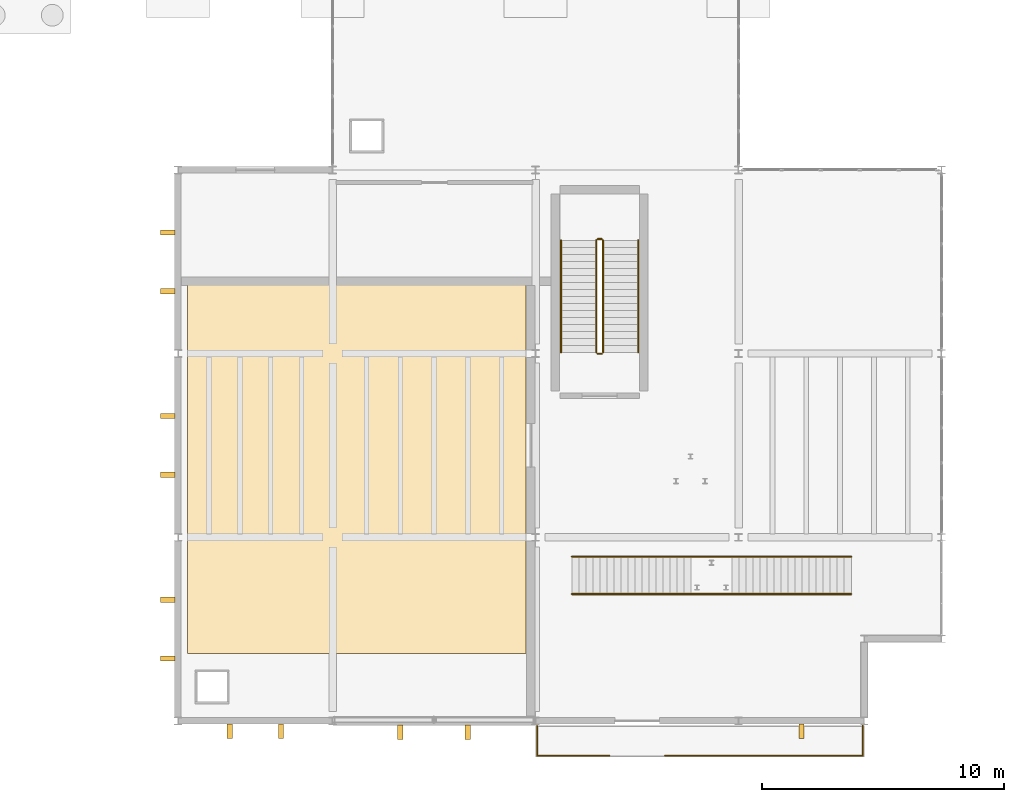
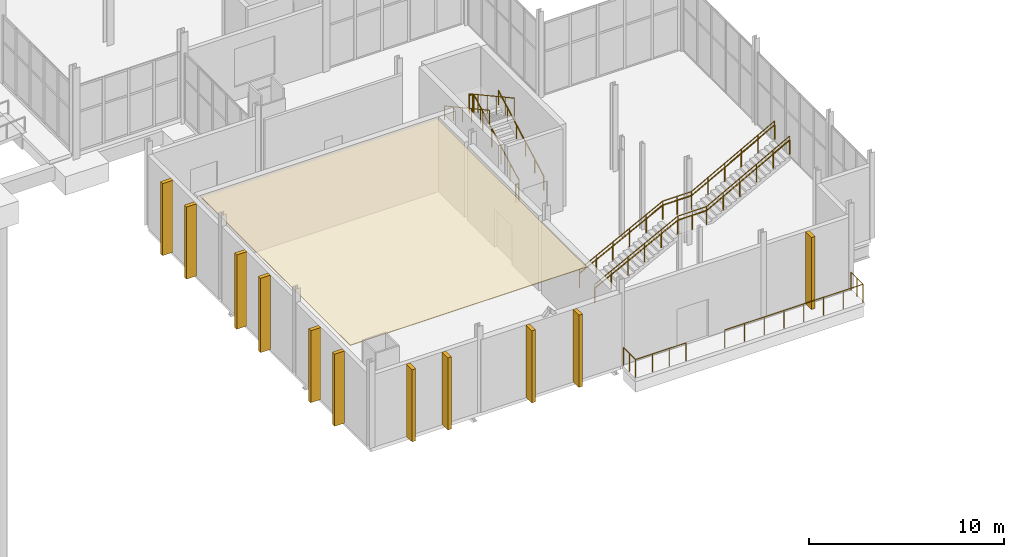
# One storey, part 83 of 95: 12 railings, 11 shading devices, 1 covering.
"""IFC4 building model written with IfcOpenShell, lengths in metres."""

from ifc_helpers import new_model, si_unit, direction, frame, origin, origin_2d, place, context, subcontext, project, spatial, polyline, rectangle, circle, outline, extrude, material, layer, layer_set, type_object, element, save


model = new_model("IFC4")

# Units and contexts
model_context = context("Model", 3, precision=1e-05, world=origin(), true_north=direction((0.0, 1.0)))
body_context = subcontext(model_context, "Body", "Model", "MODEL_VIEW")
ifc_project = project(units=[si_unit("LENGTHUNIT", "METRE"), si_unit("AREAUNIT", "SQUARE_METRE"), si_unit("VOLUMEUNIT", "CUBIC_METRE"), si_unit("PLANEANGLEUNIT", "RADIAN"), si_unit("MASSUNIT", "GRAM", prefix="KILO")], contexts=[model_context])

# Site, building, storey
site_placement = place(None, origin())
site = spatial("IfcSite", under=ifc_project, at=site_placement, CompositionType="ELEMENT")
building_placement = place(site_placement, origin())
building = spatial("IfcBuilding", under=site, at=building_placement, Name="Shengluoqiao Park Theatre", CompositionType="ELEMENT")
storey_placement = place(building_placement, origin())
storey = spatial("IfcBuildingStorey", under=building, at=storey_placement, Name="L00", CompositionType="ELEMENT", Elevation=0.0)

# Shading devices
ifc_material_1 = material(Name="Concrete C45", Category="concrete")
ifc_layer_1 = layer(ifc_material_1, 0.219970703125, Name="Concrete C45")
ifc_layer_set_1 = layer_set([ifc_layer_1], Name="Concrete C45")
shading_device_type = type_object("IfcShadingDeviceType", Name="ENV-FIN-600x220", PredefinedType="USERDEFINED", material=ifc_layer_set_1)
for number, where, z_axis, x_axis, name in (
    (1, (14.936767578125, -0.419921875, 0.02001953125), (0.0, 0.0, 1.0), (0.0, -1.0, 0.0), "L00 Vertical Concrete Acoustic Rib 0120"),
    (2, (17.063232421875, -0.419921875, 0.02001953125), (0.0, 0.0, 1.0), (0.0, -1.0, 0.0), "L00 Vertical Concrete Acoustic Rib 0121"),
    (3, (22.00341796875, -0.47509765625, 0.02001953125), (0.0, 0.0, 1.0), (0.0, -1.0, 0.0), "L00 Vertical Concrete Acoustic Rib 0122"),
    (4, (24.79638671875, -0.47509765625, 0.02001953125), (0.0, 0.0, 1.0), (0.0, -1.0, 0.0), "L00 Vertical Concrete Acoustic Rib 0123"),
    (5, (38.60009765625, -0.419921875, 0.02001953125), (0.0, 0.0, 1.0), (0.0, -1.0, 0.0), "L00 Vertical Concrete Acoustic Rib 0124"),
    (6, (12.3798828125, 2.584716796875, 0.02001953125), (0.0, 0.0, 1.0), (-1.0, 0.0, 0.0), "L00 Vertical Concrete Acoustic Rib 0125"),
    (7, (12.3798828125, 5.015380859375, 0.02001953125), (0.0, 0.0, 1.0), (-1.0, 0.0, 0.0), "L00 Vertical Concrete Acoustic Rib 0126"),
):
    element("IfcShadingDevice", number, at=place(storey_placement, frame(where, z_axis=z_axis, x_axis=x_axis)), inside=storey, type_object=shading_device_type, Name=name, ObjectType="FIN", PredefinedType="USERDEFINED", context=body_context, shape_type="SweptSolid", body=[
        extrude(rectangle(XDim=0.60009765625, YDim=0.219970703125, at=origin_2d()), origin(), (0.0, 0.0, 1.0), 4.51611328125),
    ])
for number, where, z_axis, x_axis, name in (
    (8, (12.3798828125, 10.184814453125, 0.02001953125), (0.0, 0.0, 1.0), (-1.0, 0.0, 0.0), "L00 Vertical Concrete Acoustic Rib 0127"),
    (9, (12.3798828125, 12.615234375, 0.02001953125), (0.0, 0.0, 1.0), (-1.0, 0.0, 0.0), "L00 Vertical Concrete Acoustic Rib 0128"),
):
    element("IfcShadingDevice", number, at=place(storey_placement, frame(where, z_axis=z_axis, x_axis=x_axis)), inside=storey, type_object=shading_device_type, Name=name, ObjectType="FIN", PredefinedType="USERDEFINED", context=body_context, shape_type="SweptSolid", body=[
        extrude(rectangle(XDim=0.60009765625, YDim=0.219970703125, at=origin_2d()), origin(), (0.0, 0.0, 1.0), 4.657958984375),
    ])
for number, where, z_axis, x_axis, name in (
    (10, (12.3798828125, 17.78466796875, 0.02001953125), (0.0, 0.0, 1.0), (-1.0, 0.0, 0.0), "L00 Vertical Concrete Acoustic Rib 0129"),
    (11, (12.3798828125, 20.21533203125, 0.02001953125), (0.0, 0.0, 1.0), (-1.0, 0.0, 0.0), "L00 Vertical Concrete Acoustic Rib 0130"),
):
    element("IfcShadingDevice", number, at=place(storey_placement, frame(where, z_axis=z_axis, x_axis=x_axis)), inside=storey, type_object=shading_device_type, Name=name, ObjectType="FIN", PredefinedType="USERDEFINED", context=body_context, shape_type="SweptSolid", body=[
        extrude(rectangle(XDim=0.60009765625, YDim=0.219970703125, at=origin_2d()), origin(), (0.0, 0.0, 1.0), 4.51611328125),
    ])

# Railings
ifc_material_2 = material(Name="Stainless steel 316", Category="steel")
railing_type_1 = type_object("IfcRailingType", Name="ENV-RL-GRD115", PredefinedType="GUARDRAIL", material=ifc_material_2)
railing_1_placement = place(storey_placement, frame((27.659912109375, -0.199951171875, 0.0)))
element("IfcRailing", 12, at=railing_1_placement, inside=storey, type_object=railing_type_1, Name="Black-Box South Apron Safety Guardrail West", PredefinedType="GUARDRAIL", context=body_context, shape_type="SweptSolid", body=[
    extrude(circle(Radius=0.02392578125, at=origin_2d()), frame((0.0, 0.0, 1.1259765625), z_axis=(0.0, -1.0, 0.0), x_axis=(1.0, 0.0, 0.0)), (0.0, 0.0, 1.0), 1.239990234375),
    extrude(circle(Radius=0.02392578125, at=origin_2d()), frame((0.0, -1.239990234375, 1.1259765625), z_axis=(1.0, 0.0, 0.0), x_axis=(0.0, 1.0, 0.0)), (0.0, 0.0, 1.0), 2.989990234375),
    extrude(circle(Radius=0.02099609375, at=origin_2d()), origin(), (0.0, 0.0, 1.0), 1.101806640625),
    extrude(circle(Radius=0.02099609375, at=origin_2d()), frame((0.0, -0.6201171875, 0.0)), (0.0, 0.0, 1.0), 1.101806640625),
    extrude(circle(Radius=0.02099609375, at=origin_2d()), frame((0.0, -1.239990234375, 0.0)), (0.0, 0.0, 1.0), 1.101806640625),
    extrude(circle(Radius=0.02099609375, at=origin_2d()), frame((0.99658203125, -1.239990234375, 0.0)), (0.0, 0.0, 1.0), 1.101806640625),
    extrude(circle(Radius=0.02099609375, at=origin_2d()), frame((1.993408203125, -1.239990234375, 0.0)), (0.0, 0.0, 1.0), 1.101806640625),
    extrude(circle(Radius=0.02099609375, at=origin_2d()), frame((2.989990234375, -1.239990234375, 0.0)), (0.0, 0.0, 1.0), 1.101806640625),
])
railing_2_placement = place(storey_placement, frame((32.949951171875, -1.43994140625, 0.0)))
element("IfcRailing", 13, at=railing_2_placement, inside=storey, type_object=railing_type_1, Name="Black-Box South Apron Safety Guardrail East", PredefinedType="GUARDRAIL", context=body_context, shape_type="SweptSolid", body=[
    extrude(circle(Radius=0.02392578125, at=origin_2d()), frame((0.0, 0.0, 1.1259765625), z_axis=(1.0, 0.0, 0.0), x_axis=(0.0, 1.0, 0.0)), (0.0, 0.0, 1.0), 8.18994140625),
    extrude(circle(Radius=0.02392578125, at=origin_2d()), frame((8.18994140625, 0.0, 1.1259765625), z_axis=(0.0, 1.0, 0.0), x_axis=(-1.0, 0.0, 0.0)), (0.0, 0.0, 1.0), 1.239990234375),
    extrude(circle(Radius=0.02099609375, at=origin_2d()), origin(), (0.0, 0.0, 1.0), 1.101806640625),
    extrude(circle(Radius=0.02099609375, at=origin_2d()), frame((1.169921875, 0.0, 0.0)), (0.0, 0.0, 1.0), 1.101806640625),
    extrude(circle(Radius=0.02099609375, at=origin_2d()), frame((2.340087890625, 0.0, 0.0)), (0.0, 0.0, 1.0), 1.101806640625),
    extrude(circle(Radius=0.02099609375, at=origin_2d()), frame((3.510009765625, 0.0, 0.0)), (0.0, 0.0, 1.0), 1.101806640625),
    extrude(circle(Radius=0.02099609375, at=origin_2d()), frame((4.679931640625, 0.0, 0.0)), (0.0, 0.0, 1.0), 1.101806640625),
    extrude(circle(Radius=0.02099609375, at=origin_2d()), frame((5.849853515625, 0.0, 0.0)), (0.0, 0.0, 1.0), 1.101806640625),
    extrude(circle(Radius=0.02099609375, at=origin_2d()), frame((7.02001953125, 0.0, 0.0)), (0.0, 0.0, 1.0), 1.101806640625),
    extrude(circle(Radius=0.02099609375, at=origin_2d()), frame((8.18994140625, 0.0, 0.0)), (0.0, 0.0, 1.0), 1.101806640625),
    extrude(circle(Radius=0.02099609375, at=origin_2d()), frame((8.18994140625, 0.6201171875, 0.0)), (0.0, 0.0, 1.0), 1.101806640625),
    extrude(circle(Radius=0.02099609375, at=origin_2d()), frame((8.18994140625, 1.239990234375, 0.0)), (0.0, 0.0, 1.0), 1.101806640625),
])

# Covering
ifc_material_3 = material(Name="Perforated timber acoustic", Category="wood")
ifc_layer_2 = layer(ifc_material_3, 0.0400390625, Name="Perforated timber acoustic")
ifc_layer_set_2 = layer_set([ifc_layer_2], Name="Perforated timber acoustic")
covering_type = type_object("IfcCoveringType", Name="INT-COV-CLG2", PredefinedType="CEILING", material=ifc_layer_set_2)
covering_placement = place(storey_placement, frame((0.0, 0.0, 4.47998046875)))
element("IfcCovering", 14, at=covering_placement, inside=storey, type_object=covering_type, Name="Black-Box Acoustic Grid Ceiling", PredefinedType="CEILING", context=body_context, shape_type="SweptSolid", body=[
    extrude(outline(polyline([(13.199951171875, 2.800048828125), (27.199951171875, 2.800048828125), (27.199951171875, 18.25), (13.199951171875, 18.25), (13.199951171875, 2.800048828125)])), origin(), (0.0, 0.0, 1.0), 0.0400390625),
])

# Railings
ifc_material_4 = material(Name="Tempered laminated glass", Category="glass")
railing_type_2 = type_object("IfcRailingType", Name="INT-RL-BAL115", PredefinedType="BALUSTRADE", material=ifc_material_4)
railing_3_placement = place(storey_placement, frame((29.10009765625, 5.25, 0.14990234375)))
element("IfcRailing", 15, at=railing_3_placement, inside=storey, type_object=railing_type_2, Name="Park-Court Gallery Stair 08 Glass Balustrade S", PredefinedType="BALUSTRADE", context=body_context, shape_type="SweptSolid", body=[
    extrude(circle(Radius=0.02392578125, at=origin_2d()), frame((0.0, 0.0, 1.1259765625), z_axis=(0.888211453661, 0.0, 0.459434885034), x_axis=(0.0, 1.0, 0.0)), (0.0, 0.0, 1.0), 5.55029296875),
    extrude(circle(Radius=0.02392578125, at=origin_2d()), frame((4.929931640625, 0.0, 3.67578125), z_axis=(1.0, 0.0, 0.0), x_axis=(0.0, 1.0, 0.0)), (0.0, 0.0, 1.0), 1.699951171875),
    extrude(circle(Radius=0.02392578125, at=origin_2d()), frame((6.6298828125, 0.0, 3.67578125), z_axis=(0.877079276001, 0.0, 0.480345650141), x_axis=(0.0, 1.0, 0.0)), (0.0, 0.0, 1.0), 5.620849609375),
    extrude(circle(Radius=0.02099609375, at=origin_2d()), origin(), (0.0, 0.0, 1.0), 1.101806640625),
    extrude(circle(Radius=0.02099609375, at=origin_2d()), frame((0.986083984375, 0.0, 0.510009765625)), (0.0, 0.0, 1.0), 1.101806640625),
    extrude(circle(Radius=0.02099609375, at=origin_2d()), frame((1.971923828125, 0.0, 1.02001953125)), (0.0, 0.0, 1.0), 1.101806640625),
    extrude(circle(Radius=0.02099609375, at=origin_2d()), frame((2.9580078125, 0.0, 1.530029296875)), (0.0, 0.0, 1.0), 1.101806640625),
    extrude(circle(Radius=0.02099609375, at=origin_2d()), frame((3.94384765625, 0.0, 2.0400390625)), (0.0, 0.0, 1.0), 1.101806640625),
    extrude(circle(Radius=0.02099609375, at=origin_2d()), frame((4.929931640625, 0.0, 2.550048828125)), (0.0, 0.0, 1.0), 1.101806640625),
    extrude(circle(Radius=0.02099609375, at=origin_2d()), frame((5.77978515625, 0.0, 2.550048828125)), (0.0, 0.0, 1.0), 1.101806640625),
    extrude(circle(Radius=0.02099609375, at=origin_2d()), frame((6.6298828125, 0.0, 2.550048828125)), (0.0, 0.0, 1.0), 1.101806640625),
    extrude(circle(Radius=0.02099609375, at=origin_2d()), frame((7.615966796875, 0.0, 3.090087890625)), (0.0, 0.0, 1.0), 1.101806640625),
    extrude(circle(Radius=0.02099609375, at=origin_2d()), frame((8.601806640625, 0.0, 3.630126953125)), (0.0, 0.0, 1.0), 1.101806640625),
    extrude(circle(Radius=0.02099609375, at=origin_2d()), frame((9.587890625, 0.0, 4.169921875)), (0.0, 0.0, 1.0), 1.101806640625),
    extrude(circle(Radius=0.02099609375, at=origin_2d()), frame((10.57373046875, 0.0, 4.7099609375)), (0.0, 0.0, 1.0), 1.101806640625),
    extrude(circle(Radius=0.02099609375, at=origin_2d()), frame((11.559814453125, 0.0, 5.25)), (0.0, 0.0, 1.0), 1.101806640625),
])
railing_4_placement = place(storey_placement, frame((29.10009765625, 6.800048828125, 0.14990234375)))
element("IfcRailing", 16, at=railing_4_placement, inside=storey, type_object=railing_type_2, Name="Park-Court Gallery Stair 08 Glass Balustrade N", PredefinedType="BALUSTRADE", context=body_context, shape_type="SweptSolid", body=[
    extrude(circle(Radius=0.02392578125, at=origin_2d()), frame((0.0, 0.0, 1.1259765625), z_axis=(0.888211453661, 0.0, 0.459434885034), x_axis=(0.0, 1.0, 0.0)), (0.0, 0.0, 1.0), 5.55029296875),
    extrude(circle(Radius=0.02392578125, at=origin_2d()), frame((4.929931640625, 0.0, 3.67578125), z_axis=(1.0, 0.0, 0.0), x_axis=(0.0, 1.0, 0.0)), (0.0, 0.0, 1.0), 1.699951171875),
    extrude(circle(Radius=0.02392578125, at=origin_2d()), frame((6.6298828125, 0.0, 3.67578125), z_axis=(0.877079276001, 0.0, 0.480345650141), x_axis=(0.0, 1.0, 0.0)), (0.0, 0.0, 1.0), 5.620849609375),
    extrude(circle(Radius=0.02099609375, at=origin_2d()), origin(), (0.0, 0.0, 1.0), 1.101806640625),
    extrude(circle(Radius=0.02099609375, at=origin_2d()), frame((0.986083984375, 0.0, 0.510009765625)), (0.0, 0.0, 1.0), 1.101806640625),
    extrude(circle(Radius=0.02099609375, at=origin_2d()), frame((1.971923828125, 0.0, 1.02001953125)), (0.0, 0.0, 1.0), 1.101806640625),
    extrude(circle(Radius=0.02099609375, at=origin_2d()), frame((2.9580078125, 0.0, 1.530029296875)), (0.0, 0.0, 1.0), 1.101806640625),
    extrude(circle(Radius=0.02099609375, at=origin_2d()), frame((3.94384765625, 0.0, 2.0400390625)), (0.0, 0.0, 1.0), 1.101806640625),
    extrude(circle(Radius=0.02099609375, at=origin_2d()), frame((4.929931640625, 0.0, 2.550048828125)), (0.0, 0.0, 1.0), 1.101806640625),
    extrude(circle(Radius=0.02099609375, at=origin_2d()), frame((5.77978515625, 0.0, 2.550048828125)), (0.0, 0.0, 1.0), 1.101806640625),
    extrude(circle(Radius=0.02099609375, at=origin_2d()), frame((6.6298828125, 0.0, 2.550048828125)), (0.0, 0.0, 1.0), 1.101806640625),
    extrude(circle(Radius=0.02099609375, at=origin_2d()), frame((7.615966796875, 0.0, 3.090087890625)), (0.0, 0.0, 1.0), 1.101806640625),
    extrude(circle(Radius=0.02099609375, at=origin_2d()), frame((8.601806640625, 0.0, 3.630126953125)), (0.0, 0.0, 1.0), 1.101806640625),
    extrude(circle(Radius=0.02099609375, at=origin_2d()), frame((9.587890625, 0.0, 4.169921875)), (0.0, 0.0, 1.0), 1.101806640625),
    extrude(circle(Radius=0.02099609375, at=origin_2d()), frame((10.57373046875, 0.0, 4.7099609375)), (0.0, 0.0, 1.0), 1.101806640625),
    extrude(circle(Radius=0.02099609375, at=origin_2d()), frame((11.559814453125, 0.0, 5.25)), (0.0, 0.0, 1.0), 1.101806640625),
])
ifc_material_5 = material(Name="Painted steel", Category="steel")
railing_type_3 = type_object("IfcRailingType", Name="INT-RL-STGRD", PredefinedType="GUARDRAIL", material=ifc_material_5)
railing_5_placement = place(storey_placement, frame((30.389892578125, 15.25, 0.158935546875)))
element("IfcRailing", 17, at=railing_5_placement, inside=storey, type_object=railing_type_3, Name="L00 ST-04 stair guard 1", PredefinedType="GUARDRAIL", context=body_context, shape_type="SweptSolid", body=[
    extrude(circle(Radius=0.02392578125, at=origin_2d()), frame((0.0, 0.0, 1.1259765625), z_axis=(0.0, 0.877086546512, 0.480332374433), x_axis=(-1.0, 0.0, 0.0)), (0.0, 0.0, 1.0), 5.2900390625),
    extrude(circle(Radius=0.02099609375, at=origin_2d()), origin(), (0.0, 0.0, 1.0), 1.101806640625),
    extrude(circle(Radius=0.02099609375, at=origin_2d()), frame((0.0, 0.927978515625, 0.50830078125)), (0.0, 0.0, 1.0), 1.101806640625),
    extrude(circle(Radius=0.02099609375, at=origin_2d()), frame((0.0, 1.85595703125, 1.016357421875)), (0.0, 0.0, 1.0), 1.101806640625),
    extrude(circle(Radius=0.02099609375, at=origin_2d()), frame((0.0, 2.783935546875, 1.524658203125)), (0.0, 0.0, 1.0), 1.101806640625),
    extrude(circle(Radius=0.02099609375, at=origin_2d()), frame((0.0, 3.7119140625, 2.03271484375)), (0.0, 0.0, 1.0), 1.101806640625),
    extrude(circle(Radius=0.02099609375, at=origin_2d()), frame((0.0, 4.639892578125, 2.541015625)), (0.0, 0.0, 1.0), 1.101806640625),
])
railing_6_placement = place(storey_placement, frame((30.340087890625, 19.93994140625, 2.699951171875)))
element("IfcRailing", 18, at=railing_6_placement, inside=storey, type_object=railing_type_3, Name="L00 ST-04 stair guard 2", PredefinedType="GUARDRAIL", context=body_context, shape_type="SweptSolid", body=[
    extrude(circle(Radius=0.02392578125, at=origin_2d()), frame((0.0, 0.0, 1.1259765625), z_axis=(-1.0, 0.0, 0.0), x_axis=(0.0, -1.0, 0.0)), (0.0, 0.0, 1.0), 0.18017578125),
    extrude(circle(Radius=0.02099609375, at=origin_2d()), origin(), (0.0, 0.0, 1.0), 1.101806640625),
    extrude(circle(Radius=0.02099609375, at=origin_2d()), frame((-0.18017578125, 0.0, 0.0)), (0.0, 0.0, 1.0), 1.101806640625),
])
railing_7_placement = place(storey_placement, frame((30.110107421875, 19.889892578125, 2.85888671875)))
element("IfcRailing", 19, at=railing_7_placement, inside=storey, type_object=railing_type_3, Name="L00 ST-04 stair guard 3", PredefinedType="GUARDRAIL", context=body_context, shape_type="SweptSolid", body=[
    extrude(circle(Radius=0.02392578125, at=origin_2d()), frame((0.0, 0.0, 1.1259765625), z_axis=(0.0, -0.877086546512, 0.480332374433), x_axis=(1.0, 0.0, 0.0)), (0.0, 0.0, 1.0), 5.2900390625),
    extrude(circle(Radius=0.02099609375, at=origin_2d()), origin(), (0.0, 0.0, 1.0), 1.101806640625),
    extrude(circle(Radius=0.02099609375, at=origin_2d()), frame((0.0, -0.927978515625, 0.50830078125)), (0.0, 0.0, 1.0), 1.101806640625),
    extrude(circle(Radius=0.02099609375, at=origin_2d()), frame((0.0, -1.85595703125, 1.016357421875)), (0.0, 0.0, 1.0), 1.101806640625),
    extrude(circle(Radius=0.02099609375, at=origin_2d()), frame((0.0, -2.783935546875, 1.524658203125)), (0.0, 0.0, 1.0), 1.101806640625),
    extrude(circle(Radius=0.02099609375, at=origin_2d()), frame((0.0, -3.7119140625, 2.03271484375)), (0.0, 0.0, 1.0), 1.101806640625),
    extrude(circle(Radius=0.02099609375, at=origin_2d()), frame((0.0, -4.639892578125, 2.541015625)), (0.0, 0.0, 1.0), 1.101806640625),
])
railing_8_placement = place(storey_placement, frame((30.340087890625, 15.199951171875, 0.0)))
element("IfcRailing", 20, at=railing_8_placement, inside=storey, type_object=railing_type_3, Name="L00 ST-04 stair guard 4", PredefinedType="GUARDRAIL", context=body_context, shape_type="SweptSolid", body=[
    extrude(circle(Radius=0.02392578125, at=origin_2d()), frame((0.0, 0.0, 1.1259765625), z_axis=(-1.0, 0.0, 0.0), x_axis=(0.0, -1.0, 0.0)), (0.0, 0.0, 1.0), 0.18017578125),
    extrude(circle(Radius=0.02099609375, at=origin_2d()), origin(), (0.0, 0.0, 1.0), 1.101806640625),
    extrude(circle(Radius=0.02099609375, at=origin_2d()), frame((-0.18017578125, 0.0, 0.0)), (0.0, 0.0, 1.0), 1.101806640625),
])
ifc_material_6 = material(Name="Stainless steel 304", Category="steel")
railing_type_4 = type_object("IfcRailingType", Name="INT-RL-STHR", PredefinedType="HANDRAIL", material=ifc_material_6)
railing_9_placement = place(storey_placement, frame((31.85009765625, 15.25, 0.158935546875)))
element("IfcRailing", 21, at=railing_9_placement, inside=storey, type_object=railing_type_4, Name="L00 ST-04 stair handrail 1", PredefinedType="HANDRAIL", context=body_context, shape_type="SweptSolid", body=[
    extrude(circle(Radius=0.02392578125, at=origin_2d()), frame((0.0, 0.0, 0.8759765625), z_axis=(0.0, 0.877086546512, 0.480332374433), x_axis=(-1.0, 0.0, 0.0)), (0.0, 0.0, 1.0), 5.2900390625),
    extrude(circle(Radius=0.02099609375, at=origin_2d()), origin(), (0.0, 0.0, 1.0), 0.851806640625),
    extrude(circle(Radius=0.02099609375, at=origin_2d()), frame((0.0, 0.927978515625, 0.50830078125)), (0.0, 0.0, 1.0), 0.851806640625),
    extrude(circle(Radius=0.02099609375, at=origin_2d()), frame((0.0, 1.85595703125, 1.016357421875)), (0.0, 0.0, 1.0), 0.851806640625),
    extrude(circle(Radius=0.02099609375, at=origin_2d()), frame((0.0, 2.783935546875, 1.524658203125)), (0.0, 0.0, 1.0), 0.851806640625),
    extrude(circle(Radius=0.02099609375, at=origin_2d()), frame((0.0, 3.7119140625, 2.03271484375)), (0.0, 0.0, 1.0), 0.851806640625),
    extrude(circle(Radius=0.02099609375, at=origin_2d()), frame((0.0, 4.639892578125, 2.541015625)), (0.0, 0.0, 1.0), 0.851806640625),
])
railing_10_placement = place(storey_placement, frame((28.64990234375, 19.889892578125, 2.85888671875)))
element("IfcRailing", 22, at=railing_10_placement, inside=storey, type_object=railing_type_4, Name="L00 ST-04 stair handrail 2", PredefinedType="HANDRAIL", context=body_context, shape_type="SweptSolid", body=[
    extrude(circle(Radius=0.02392578125, at=origin_2d()), frame((0.0, 0.0, 0.8759765625), z_axis=(0.0, -0.877086546512, 0.480332374433), x_axis=(1.0, 0.0, 0.0)), (0.0, 0.0, 1.0), 5.2900390625),
    extrude(circle(Radius=0.02099609375, at=origin_2d()), origin(), (0.0, 0.0, 1.0), 0.851806640625),
    extrude(circle(Radius=0.02099609375, at=origin_2d()), frame((0.0, -0.927978515625, 0.50830078125)), (0.0, 0.0, 1.0), 0.851806640625),
    extrude(circle(Radius=0.02099609375, at=origin_2d()), frame((0.0, -1.85595703125, 1.016357421875)), (0.0, 0.0, 1.0), 0.851806640625),
    extrude(circle(Radius=0.02099609375, at=origin_2d()), frame((0.0, -2.783935546875, 1.524658203125)), (0.0, 0.0, 1.0), 0.851806640625),
    extrude(circle(Radius=0.02099609375, at=origin_2d()), frame((0.0, -3.7119140625, 2.03271484375)), (0.0, 0.0, 1.0), 0.851806640625),
    extrude(circle(Radius=0.02099609375, at=origin_2d()), frame((0.0, -4.639892578125, 2.541015625)), (0.0, 0.0, 1.0), 0.851806640625),
])
railing_11_placement = place(storey_placement, frame((29.10009765625, 5.25, 0.14990234375)))
element("IfcRailing", 23, at=railing_11_placement, inside=storey, type_object=railing_type_4, Name="Park-Court Gallery Stair 08 Handrail S", PredefinedType="HANDRAIL", context=body_context, shape_type="SweptSolid", body=[
    extrude(circle(Radius=0.02392578125, at=origin_2d()), frame((0.0, 0.0, 0.8759765625), z_axis=(0.888211453661, 0.0, 0.459434885034), x_axis=(0.0, 1.0, 0.0)), (0.0, 0.0, 1.0), 5.55029296875),
    extrude(circle(Radius=0.02392578125, at=origin_2d()), frame((4.929931640625, 0.0, 3.42578125), z_axis=(1.0, 0.0, 0.0), x_axis=(0.0, 1.0, 0.0)), (0.0, 0.0, 1.0), 1.699951171875),
    extrude(circle(Radius=0.02392578125, at=origin_2d()), frame((6.6298828125, 0.0, 3.42578125), z_axis=(0.877079276001, 0.0, 0.480345650141), x_axis=(0.0, 1.0, 0.0)), (0.0, 0.0, 1.0), 5.620849609375),
    extrude(circle(Radius=0.02099609375, at=origin_2d()), origin(), (0.0, 0.0, 1.0), 0.851806640625),
    extrude(circle(Radius=0.02099609375, at=origin_2d()), frame((0.986083984375, 0.0, 0.510009765625)), (0.0, 0.0, 1.0), 0.851806640625),
    extrude(circle(Radius=0.02099609375, at=origin_2d()), frame((1.971923828125, 0.0, 1.02001953125)), (0.0, 0.0, 1.0), 0.851806640625),
    extrude(circle(Radius=0.02099609375, at=origin_2d()), frame((2.9580078125, 0.0, 1.530029296875)), (0.0, 0.0, 1.0), 0.851806640625),
    extrude(circle(Radius=0.02099609375, at=origin_2d()), frame((3.94384765625, 0.0, 2.0400390625)), (0.0, 0.0, 1.0), 0.851806640625),
    extrude(circle(Radius=0.02099609375, at=origin_2d()), frame((4.929931640625, 0.0, 2.550048828125)), (0.0, 0.0, 1.0), 0.851806640625),
    extrude(circle(Radius=0.02099609375, at=origin_2d()), frame((5.77978515625, 0.0, 2.550048828125)), (0.0, 0.0, 1.0), 0.851806640625),
    extrude(circle(Radius=0.02099609375, at=origin_2d()), frame((6.6298828125, 0.0, 2.550048828125)), (0.0, 0.0, 1.0), 0.851806640625),
    extrude(circle(Radius=0.02099609375, at=origin_2d()), frame((7.615966796875, 0.0, 3.090087890625)), (0.0, 0.0, 1.0), 0.851806640625),
    extrude(circle(Radius=0.02099609375, at=origin_2d()), frame((8.601806640625, 0.0, 3.630126953125)), (0.0, 0.0, 1.0), 0.851806640625),
    extrude(circle(Radius=0.02099609375, at=origin_2d()), frame((9.587890625, 0.0, 4.169921875)), (0.0, 0.0, 1.0), 0.851806640625),
    extrude(circle(Radius=0.02099609375, at=origin_2d()), frame((10.57373046875, 0.0, 4.7099609375)), (0.0, 0.0, 1.0), 0.851806640625),
    extrude(circle(Radius=0.02099609375, at=origin_2d()), frame((11.559814453125, 0.0, 5.25)), (0.0, 0.0, 1.0), 0.851806640625),
])
railing_12_placement = place(storey_placement, frame((29.10009765625, 6.800048828125, 0.14990234375)))
element("IfcRailing", 24, at=railing_12_placement, inside=storey, type_object=railing_type_4, Name="Park-Court Gallery Stair 08 Handrail N", PredefinedType="HANDRAIL", context=body_context, shape_type="SweptSolid", body=[
    extrude(circle(Radius=0.02392578125, at=origin_2d()), frame((0.0, 0.0, 0.8759765625), z_axis=(0.888211453661, 0.0, 0.459434885034), x_axis=(0.0, 1.0, 0.0)), (0.0, 0.0, 1.0), 5.55029296875),
    extrude(circle(Radius=0.02392578125, at=origin_2d()), frame((4.929931640625, 0.0, 3.42578125), z_axis=(1.0, 0.0, 0.0), x_axis=(0.0, 1.0, 0.0)), (0.0, 0.0, 1.0), 1.699951171875),
    extrude(circle(Radius=0.02392578125, at=origin_2d()), frame((6.6298828125, 0.0, 3.42578125), z_axis=(0.877079276001, 0.0, 0.480345650141), x_axis=(0.0, 1.0, 0.0)), (0.0, 0.0, 1.0), 5.620849609375),
    extrude(circle(Radius=0.02099609375, at=origin_2d()), origin(), (0.0, 0.0, 1.0), 0.851806640625),
    extrude(circle(Radius=0.02099609375, at=origin_2d()), frame((0.986083984375, 0.0, 0.510009765625)), (0.0, 0.0, 1.0), 0.851806640625),
    extrude(circle(Radius=0.02099609375, at=origin_2d()), frame((1.971923828125, 0.0, 1.02001953125)), (0.0, 0.0, 1.0), 0.851806640625),
    extrude(circle(Radius=0.02099609375, at=origin_2d()), frame((2.9580078125, 0.0, 1.530029296875)), (0.0, 0.0, 1.0), 0.851806640625),
    extrude(circle(Radius=0.02099609375, at=origin_2d()), frame((3.94384765625, 0.0, 2.0400390625)), (0.0, 0.0, 1.0), 0.851806640625),
    extrude(circle(Radius=0.02099609375, at=origin_2d()), frame((4.929931640625, 0.0, 2.550048828125)), (0.0, 0.0, 1.0), 0.851806640625),
    extrude(circle(Radius=0.02099609375, at=origin_2d()), frame((5.77978515625, 0.0, 2.550048828125)), (0.0, 0.0, 1.0), 0.851806640625),
    extrude(circle(Radius=0.02099609375, at=origin_2d()), frame((6.6298828125, 0.0, 2.550048828125)), (0.0, 0.0, 1.0), 0.851806640625),
    extrude(circle(Radius=0.02099609375, at=origin_2d()), frame((7.615966796875, 0.0, 3.090087890625)), (0.0, 0.0, 1.0), 0.851806640625),
    extrude(circle(Radius=0.02099609375, at=origin_2d()), frame((8.601806640625, 0.0, 3.630126953125)), (0.0, 0.0, 1.0), 0.851806640625),
    extrude(circle(Radius=0.02099609375, at=origin_2d()), frame((9.587890625, 0.0, 4.169921875)), (0.0, 0.0, 1.0), 0.851806640625),
    extrude(circle(Radius=0.02099609375, at=origin_2d()), frame((10.57373046875, 0.0, 4.7099609375)), (0.0, 0.0, 1.0), 0.851806640625),
    extrude(circle(Radius=0.02099609375, at=origin_2d()), frame((11.559814453125, 0.0, 5.25)), (0.0, 0.0, 1.0), 0.851806640625),
])

save(model, "model.ifc")
